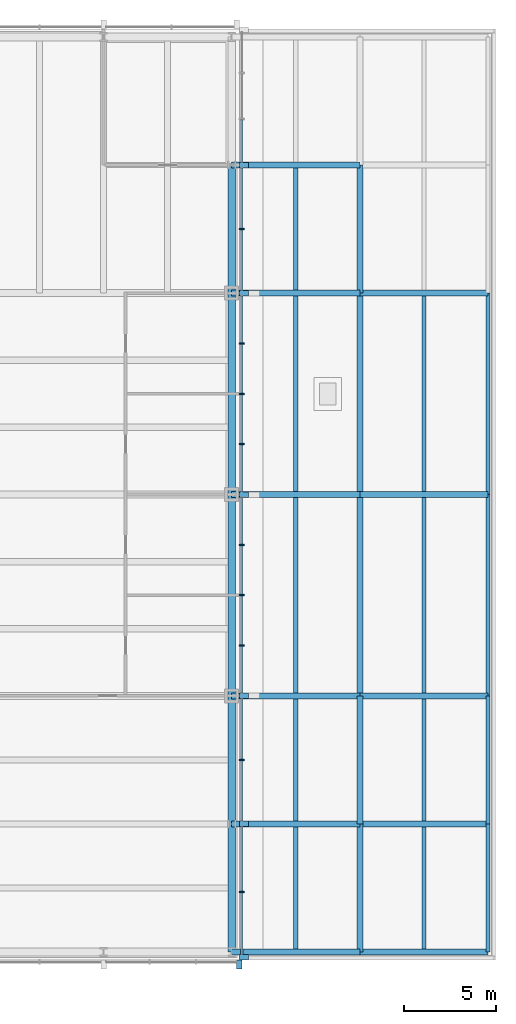
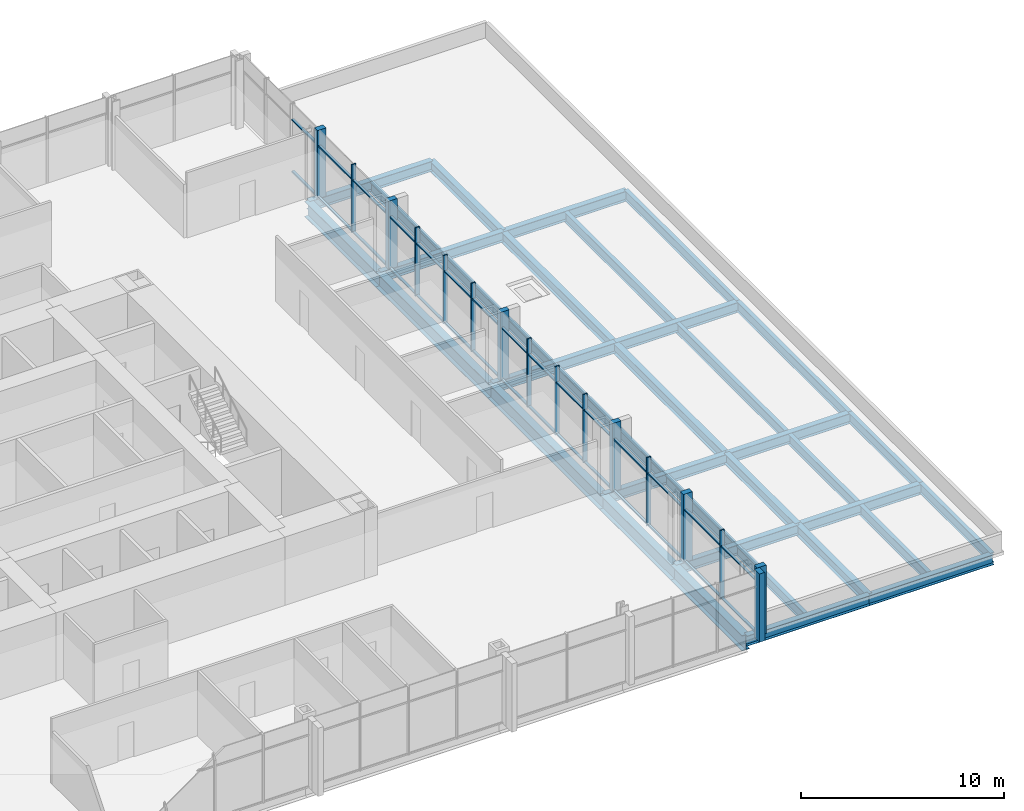
# One storey, part 7 of 15: 46 members, 34 beams, 2 elements without a shape of their own.
"""IFC4 building model written with IfcOpenShell, lengths in metres."""

import ifcopenshell
import ifcopenshell.guid

model = None  # the IFC model being written
_history = None  # IfcOwnerHistory: only IFC2X3 demands one
_inside = {}  # id of a spatial element -> (the spatial element, [elements in it])
_under = {}  # id of a project, library or spatial element -> (it, [spatial elements below it])
_declared = {}  # id of a project -> (the project, [libraries it declares])
_typed = {}  # id of a type object -> (the type object, [elements of that type])
_made_of = {}  # id of a material, layer set ... -> (it, [elements and type objects made of it])


def new_model(schema):
    """Start an empty IFC model of exactly this schema.

    Asked for "IFC4X3", IfcOpenShell would pick the latest addendum, in which some entities
    have other attributes; the version numbers below select the first issue.
    IFC2X3 requires an IfcOwnerHistory on every rooted entity: one is made here for all.
    """
    global model, _history
    if schema == "IFC4X3":
        model = ifcopenshell.file(schema_version=(4, 3, 0, 0))
    else:
        model = ifcopenshell.file(schema=schema)
    _inside.clear()
    _under.clear()
    _declared.clear()
    _typed.clear()
    _made_of.clear()
    _history = None
    if model.schema == "IFC2X3":
        org = make("IfcOrganization", Name="unknown")
        user = make(
            "IfcPersonAndOrganization",
            ThePerson=make("IfcPerson", FamilyName="unknown"),
            TheOrganization=org,
        )
        app = make(
            "IfcApplication",
            ApplicationDeveloper=org,
            Version="unknown",
            ApplicationFullName="unknown",
            ApplicationIdentifier="unknown",
        )
        _history = make(
            "IfcOwnerHistory",
            OwningUser=user,
            OwningApplication=app,
            ChangeAction="ADDED",
            CreationDate=0,
        )
    return model


def make(cls, **values):
    """One entity of the class cls with the attributes given. An attribute that is None is left unset."""
    return model.create_entity(
        cls, **{name: value for name, value in values.items() if value is not None}
    )


def rooted(cls, **values):
    """An entity with a GlobalId (a new one), such as an element, a storey or a relation."""
    return make(cls, GlobalId=ifcopenshell.guid.new(), OwnerHistory=_history, **values)


def si_unit(unit_type, name, prefix=None):
    """IfcSIUnit, for example si_unit("LENGTHUNIT", "METRE", prefix="MILLI")."""
    return make("IfcSIUnit", UnitType=unit_type, Prefix=prefix, Name=name)


def assignment(units):
    """IfcUnitAssignment: the units of a project."""
    return None if units is None else make("IfcUnitAssignment", Units=units)


def point(xyz):
    """IfcCartesianPoint."""
    return None if xyz is None else make("IfcCartesianPoint", Coordinates=xyz)


def direction(xyz):
    """IfcDirection."""
    return None if xyz is None else make("IfcDirection", DirectionRatios=xyz)


def frame(location, z_axis=None, x_axis=None):
    """IfcAxis2Placement3D, a coordinate frame: its origin and axes. An axis left out is left unset."""
    return make(
        "IfcAxis2Placement3D",
        Location=point(location),
        Axis=direction(z_axis),
        RefDirection=direction(x_axis),
    )


def frame_2d(location, x_axis=None):
    """IfcAxis2Placement2D, a coordinate frame in the plane: its origin and x axis."""
    return make(
        "IfcAxis2Placement2D", Location=point(location), RefDirection=direction(x_axis)
    )


def origin():
    """The frame at (0, 0, 0) with its axes left unset."""
    return frame((0.0, 0.0, 0.0))


def origin_2d():
    """The frame at (0, 0) in the plane with its x axis left unset."""
    return frame_2d((0.0, 0.0))


def place(relative_to, where):
    """IfcLocalPlacement: puts the frame where relative to a parent placement (None: the world)."""
    return make(
        "IfcLocalPlacement", PlacementRelTo=relative_to, RelativePlacement=where
    )


def context(
    kind, dimensions, precision=None, world=None, true_north=None, identifier=None
):
    """IfcGeometricRepresentationContext, for example the 3D "Model" context."""
    return make(
        "IfcGeometricRepresentationContext",
        ContextIdentifier=identifier,
        ContextType=kind,
        CoordinateSpaceDimension=dimensions,
        Precision=precision,
        WorldCoordinateSystem=world,
        TrueNorth=true_north,
    )


def subcontext(parent, identifier, kind, view, scale=None):
    """IfcGeometricRepresentationSubContext, for example "Body" below "Model"."""
    return make(
        "IfcGeometricRepresentationSubContext",
        ContextIdentifier=identifier,
        ContextType=kind,
        ParentContext=parent,
        TargetScale=scale,
        TargetView=view,
    )


def project(units=None, contexts=None):
    """IfcProject with its units and contexts."""
    return rooted(
        "IfcProject",
        Name="project",
        RepresentationContexts=contexts,
        UnitsInContext=assignment(units),
    )


def spatial(cls, under=None, at=None, **own):
    """A site, building, storey or space (cls), placed at a placement, below another one or the project."""
    s = rooted(cls, ObjectPlacement=at, **own)
    if under is not None:
        _under.setdefault(under.id(), (under, []))[1].append(s)
    return s


def profile(cls, at=None, kind="AREA", **sizes):
    """A parametric profile (cls). Its sizes go by their IFC names, for example OverallWidth=200.0."""
    return make(cls, ProfileType=kind, Position=at, **sizes)


def rectangle(**sizes):
    """IfcRectangleProfileDef."""
    return profile("IfcRectangleProfileDef", **sizes)


def i_section(**sizes):
    """IfcIShapeProfileDef."""
    return profile("IfcIShapeProfileDef", **sizes)


def extrude(swept, where, along, depth):
    """IfcExtrudedAreaSolid: the profile swept, set in the frame where, extruded along a direction by depth."""
    return make(
        "IfcExtrudedAreaSolid",
        SweptArea=swept,
        Position=where,
        ExtrudedDirection=direction(along),
        Depth=depth,
    )


def shape(context_of_items, identifier, shape_type, items):
    """IfcShapeRepresentation: the items that make up one representation, for example the "Body"."""
    return make(
        "IfcShapeRepresentation",
        ContextOfItems=context_of_items,
        RepresentationIdentifier=identifier,
        RepresentationType=shape_type,
        Items=items,
    )


def material(Name=None, Category=None):
    """IfcMaterial."""
    return make("IfcMaterial", Name=Name, Category=Category)


def material_profile(
    of_material, cross_section, Name=None, Category=None, Priority=None
):
    """IfcMaterialProfile: a cross section and its material."""
    return make(
        "IfcMaterialProfile",
        Name=Name,
        Material=of_material,
        Profile=cross_section,
        Priority=Priority,
        Category=Category,
    )


def profile_set(profiles, Name=None, composite=None):
    """IfcMaterialProfileSet."""
    return make(
        "IfcMaterialProfileSet",
        Name=Name,
        MaterialProfiles=profiles,
        CompositeProfile=composite,
    )


def made_of(thing, what):
    """Note that an element or type object is made of a material, layer set ...; save() writes the relation."""
    if what is not None:
        _made_of.setdefault(what.id(), (what, []))[1].append(thing)
    return thing


def type_object(cls, material=None, **own):
    """A type object (cls), such as IfcWallType, which elements share."""
    return made_of(rooted(cls, **own), material)


def element(
    cls,
    number,
    at=None,
    inside=None,
    cuts=None,
    type_object=None,
    material=None,
    context=None,
    identifier="Body",
    shape_type=None,
    held_by="IfcProductDefinitionShape",
    body=None,
    shapes=None,
    **own,
):
    """One element of the class cls, such as IfcWall. Its Tag is "e" and its number.

    at: its placement. inside: the storey or other place that contains it. cuts: it is an
    opening in that element (IfcRelVoidsElement). A single representation is given by context,
    identifier, shape_type and body (its items); several are given by shapes. held_by: the class
    of the entity that holds the representations. save() writes the other relations.
    """
    e = rooted(cls, Tag="e%d" % number, ObjectPlacement=at, **own)
    if body is not None:
        shapes = [shape(context, identifier, shape_type, body)]
    if shapes is not None:
        e.Representation = make(held_by, Representations=shapes)
    if inside is not None:
        _inside.setdefault(inside.id(), (inside, []))[1].append(e)
    if cuts is not None:
        rooted(
            "IfcRelVoidsElement", RelatingBuildingElement=cuts, RelatedOpeningElement=e
        )
    if type_object is not None:
        _typed.setdefault(type_object.id(), (type_object, []))[1].append(e)
    return made_of(e, material)


def aggregate(whole, parts):
    """IfcRelAggregates: a whole, such as a stair, and the parts it consists of."""
    return rooted("IfcRelAggregates", RelatingObject=whole, RelatedObjects=parts)


def save(model, path):
    """Write the relations noted so far, then the file.

    IfcRelAggregates (storeys below a building ...), IfcRelContainedInSpatialStructure (elements
    in a storey), IfcRelDefinesByType, IfcRelAssociatesMaterial and IfcRelDeclares: one each for
    every whole, place, type object, material and project.
    """
    for whole, parts in _under.values():
        aggregate(whole, parts)
    for where, things in _inside.values():
        rooted(
            "IfcRelContainedInSpatialStructure",
            RelatedElements=things,
            RelatingStructure=where,
        )
    for kind, things in _typed.values():
        rooted("IfcRelDefinesByType", RelatedObjects=things, RelatingType=kind)
    for what, things in _made_of.values():
        rooted("IfcRelAssociatesMaterial", RelatedObjects=things, RelatingMaterial=what)
    for by, libraries in _declared.values():
        rooted("IfcRelDeclares", RelatingContext=by, RelatedDefinitions=libraries)
    model.write(path)


model = new_model("IFC4")

# Units and contexts
model_context = context("Model", 3, precision=1e-05, world=origin(), true_north=direction((0.0, 1.0)))
body_context = subcontext(model_context, "Body", "Model", "MODEL_VIEW")
ifc_project = project(units=[si_unit("LENGTHUNIT", "METRE"), si_unit("AREAUNIT", "SQUARE_METRE"), si_unit("VOLUMEUNIT", "CUBIC_METRE"), si_unit("PLANEANGLEUNIT", "RADIAN"), si_unit("MASSUNIT", "GRAM", prefix="KILO")], contexts=[model_context])

# Site, building, storey
site_placement = place(None, origin())
site = spatial("IfcSite", under=ifc_project, at=site_placement, CompositionType="ELEMENT")
building_placement = place(site_placement, origin())
building = spatial("IfcBuilding", under=site, at=building_placement, Name="Trevanion Tower", CompositionType="ELEMENT")
storey_placement = place(building_placement, frame((0.0, 0.0, 16.0)))
storey = spatial("IfcBuildingStorey", under=building, at=storey_placement, Name="L03", CompositionType="ELEMENT", Elevation=16.0)

# Curtain wall, members
ifc_material_1 = material(Name="Aluminium and glass", Category="aluminium")
curtain_wall_type = type_object("IfcCurtainWallType", Name="CW1 curtain wall", PredefinedType="USERDEFINED", material=ifc_material_1)
curtain_wall_1_placement = place(storey_placement, origin())
curtain_wall_1 = element("IfcCurtainWall", 1, at=curtain_wall_1_placement, inside=storey, type_object=curtain_wall_type, Name="CW1 L03 0", ObjectType="UNITISED CURTAIN WALL", PredefinedType="USERDEFINED")
ifc_material_2 = material(Name="Aluminium extrusion, anodised bronze", Category="aluminium")
ifc_material_profile_1 = material_profile(ifc_material_2, rectangle(XDim=0.074951171875, YDim=0.25, at=origin_2d()), Name="CW1 mullion")
ifc_profile_set_1 = profile_set([ifc_material_profile_1], Name="Aluminium extrusion, anodised bronze")
member_type_1 = type_object("IfcMemberType", Name="CW1 mullion", PredefinedType="MULLION", material=ifc_profile_set_1)
member_1_placement = place(storey_placement, frame((25.550048828125, -21.7099609375, -0.18994140625), z_axis=(0.0, 0.0, 1.0), x_axis=(0.0, 1.0, 0.0)))
member_1 = element("IfcMember", 2, at=member_1_placement, type_object=member_type_1, Name="CW1 mullion 2", PredefinedType="MULLION", context=body_context, shape_type="SweptSolid", body=[
    extrude(rectangle(XDim=0.074951171875, YDim=0.25, at=origin_2d()), origin(), (0.0, 0.0, 1.0), 4.099853515625),
])
member_2_placement = place(storey_placement, frame((25.550048828125, -14.5, -0.18994140625), z_axis=(0.0, 0.0, 1.0), x_axis=(0.0, 1.0, 0.0)))
member_2 = element("IfcMember", 3, at=member_2_placement, type_object=member_type_1, Name="CW1 mullion 4", PredefinedType="MULLION", context=body_context, shape_type="SweptSolid", body=[
    extrude(rectangle(XDim=0.074951171875, YDim=0.25, at=origin_2d()), origin(), (0.0, 0.0, 1.0), 4.099853515625),
])
member_3_placement = place(storey_placement, frame((25.550048828125, -8.25, -0.18994140625), z_axis=(0.0, 0.0, 1.0), x_axis=(0.0, 1.0, 0.0)))
member_3 = element("IfcMember", 4, at=member_3_placement, type_object=member_type_1, Name="CW1 mullion 6", PredefinedType="MULLION", context=body_context, shape_type="SweptSolid", body=[
    extrude(rectangle(XDim=0.074951171875, YDim=0.25, at=origin_2d()), origin(), (0.0, 0.0, 1.0), 4.099853515625),
])
member_4_placement = place(storey_placement, frame((25.550048828125, -5.5, -0.18994140625), z_axis=(0.0, 0.0, 1.0), x_axis=(0.0, 1.0, 0.0)))
member_4 = element("IfcMember", 5, at=member_4_placement, type_object=member_type_1, Name="CW1 mullion 7", PredefinedType="MULLION", context=body_context, shape_type="SweptSolid", body=[
    extrude(rectangle(XDim=0.074951171875, YDim=0.25, at=origin_2d()), origin(), (0.0, 0.0, 1.0), 4.099853515625),
])
member_5_placement = place(storey_placement, frame((25.550048828125, -2.75, -0.18994140625), z_axis=(0.0, 0.0, 1.0), x_axis=(0.0, 1.0, 0.0)))
member_5 = element("IfcMember", 6, at=member_5_placement, type_object=member_type_1, Name="CW1 mullion 8", PredefinedType="MULLION", context=body_context, shape_type="SweptSolid", body=[
    extrude(rectangle(XDim=0.074951171875, YDim=0.25, at=origin_2d()), origin(), (0.0, 0.0, 1.0), 4.099853515625),
])
member_6_placement = place(storey_placement, frame((25.550048828125, 2.75, -0.18994140625), z_axis=(0.0, 0.0, 1.0), x_axis=(0.0, 1.0, 0.0)))
member_6 = element("IfcMember", 7, at=member_6_placement, type_object=member_type_1, Name="CW1 mullion 10", PredefinedType="MULLION", context=body_context, shape_type="SweptSolid", body=[
    extrude(rectangle(XDim=0.074951171875, YDim=0.25, at=origin_2d()), origin(), (0.0, 0.0, 1.0), 4.099853515625),
])
member_7_placement = place(storey_placement, frame((25.550048828125, 5.5, -0.18994140625), z_axis=(0.0, 0.0, 1.0), x_axis=(0.0, 1.0, 0.0)))
member_7 = element("IfcMember", 8, at=member_7_placement, type_object=member_type_1, Name="CW1 mullion 11", PredefinedType="MULLION", context=body_context, shape_type="SweptSolid", body=[
    extrude(rectangle(XDim=0.074951171875, YDim=0.25, at=origin_2d()), origin(), (0.0, 0.0, 1.0), 4.099853515625),
])
member_8_placement = place(storey_placement, frame((25.550048828125, 8.25, -0.18994140625), z_axis=(0.0, 0.0, 1.0), x_axis=(0.0, 1.0, 0.0)))
member_8 = element("IfcMember", 9, at=member_8_placement, type_object=member_type_1, Name="CW1 mullion 12", PredefinedType="MULLION", context=body_context, shape_type="SweptSolid", body=[
    extrude(rectangle(XDim=0.074951171875, YDim=0.25, at=origin_2d()), origin(), (0.0, 0.0, 1.0), 4.099853515625),
])
member_9_placement = place(storey_placement, frame((25.550048828125, 14.5, -0.18994140625), z_axis=(0.0, 0.0, 1.0), x_axis=(0.0, 1.0, 0.0)))
member_9 = element("IfcMember", 10, at=member_9_placement, type_object=member_type_1, Name="CW1 mullion 14", PredefinedType="MULLION", context=body_context, shape_type="SweptSolid", body=[
    extrude(rectangle(XDim=0.074951171875, YDim=0.25, at=origin_2d()), origin(), (0.0, 0.0, 1.0), 4.099853515625),
])
ifc_material_3 = material(Name="Aluminium extrusion, anodised bronze", Category="aluminium")
ifc_material_profile_2 = material_profile(ifc_material_3, rectangle(XDim=0.300048828125, YDim=0.5, at=origin_2d()), Name="CW1 pier mullion")
ifc_profile_set_2 = profile_set([ifc_material_profile_2], Name="Aluminium extrusion, anodised bronze")
member_type_2 = type_object("IfcMemberType", Name="CW1 pier mullion", PredefinedType="MULLION", material=ifc_profile_set_2)
member_10_placement = place(storey_placement, frame((25.675048828125, -25.27001953125, -0.18994140625), z_axis=(0.0, 0.0, 1.0), x_axis=(0.0, 1.0, 0.0)))
member_10 = element("IfcMember", 11, at=member_10_placement, type_object=member_type_2, Name="CW1 pier mullion 1", PredefinedType="MULLION", context=body_context, shape_type="SweptSolid", body=[
    extrude(rectangle(XDim=0.300048828125, YDim=0.5, at=origin_2d()), origin(), (0.0, 0.0, 1.0), 4.099853515625),
])
member_11_placement = place(storey_placement, frame((25.675048828125, -18.0, -0.18994140625), z_axis=(0.0, 0.0, 1.0), x_axis=(0.0, 1.0, 0.0)))
member_11 = element("IfcMember", 12, at=member_11_placement, type_object=member_type_2, Name="CW1 pier mullion 3", PredefinedType="MULLION", context=body_context, shape_type="SweptSolid", body=[
    extrude(rectangle(XDim=0.300048828125, YDim=0.5, at=origin_2d()), origin(), (0.0, 0.0, 1.0), 4.099853515625),
])
member_12_placement = place(storey_placement, frame((25.675048828125, -11.0, -0.18994140625), z_axis=(0.0, 0.0, 1.0), x_axis=(0.0, 1.0, 0.0)))
member_12 = element("IfcMember", 13, at=member_12_placement, type_object=member_type_2, Name="CW1 pier mullion 5", PredefinedType="MULLION", context=body_context, shape_type="SweptSolid", body=[
    extrude(rectangle(XDim=0.300048828125, YDim=0.5, at=origin_2d()), origin(), (0.0, 0.0, 1.0), 4.099853515625),
])
member_13_placement = place(storey_placement, frame((25.675048828125, 0.0, -0.18994140625), z_axis=(0.0, 0.0, 1.0), x_axis=(0.0, 1.0, 0.0)))
member_13 = element("IfcMember", 14, at=member_13_placement, type_object=member_type_2, Name="CW1 pier mullion 9", PredefinedType="MULLION", context=body_context, shape_type="SweptSolid", body=[
    extrude(rectangle(XDim=0.300048828125, YDim=0.5, at=origin_2d()), origin(), (0.0, 0.0, 1.0), 4.099853515625),
])
member_14_placement = place(storey_placement, frame((25.675048828125, 11.0, -0.18994140625), z_axis=(0.0, 0.0, 1.0), x_axis=(0.0, 1.0, 0.0)))
member_14 = element("IfcMember", 15, at=member_14_placement, type_object=member_type_2, Name="CW1 pier mullion 13", PredefinedType="MULLION", context=body_context, shape_type="SweptSolid", body=[
    extrude(rectangle(XDim=0.300048828125, YDim=0.5, at=origin_2d()), origin(), (0.0, 0.0, 1.0), 4.099853515625),
])
member_15_placement = place(storey_placement, frame((25.675048828125, 18.0, -0.18994140625), z_axis=(0.0, 0.0, 1.0), x_axis=(0.0, 1.0, 0.0)))
member_15 = element("IfcMember", 16, at=member_15_placement, type_object=member_type_2, Name="CW1 pier mullion 15", PredefinedType="MULLION", context=body_context, shape_type="SweptSolid", body=[
    extrude(rectangle(XDim=0.300048828125, YDim=0.5, at=origin_2d()), origin(), (0.0, 0.0, 1.0), 4.099853515625),
])

# Curtain wall, member
curtain_wall_2_placement = place(storey_placement, origin())
curtain_wall_2 = element("IfcCurtainWall", 17, at=curtain_wall_2_placement, inside=storey, type_object=curtain_wall_type, Name="CW1 L03 3", ObjectType="UNITISED CURTAIN WALL", PredefinedType="USERDEFINED")
member_16_placement = place(storey_placement, frame((25.39990234375, -25.675048828125, -0.18994140625), z_axis=(0.0, 0.0, 1.0), x_axis=(1.0, 0.0, 0.0)))
member_16 = element("IfcMember", 18, at=member_16_placement, type_object=member_type_2, Name="CW1 pier mullion 18", PredefinedType="MULLION", context=body_context, shape_type="SweptSolid", body=[
    extrude(rectangle(XDim=0.300048828125, YDim=0.5, at=origin_2d()), origin(), (0.0, 0.0, 1.0), 4.099853515625),
])
aggregate(curtain_wall_2, [member_16])

# Member
ifc_material_4 = material(Name="Aluminium extrusion, anodised bronze", Category="aluminium")
ifc_material_profile_3 = material_profile(ifc_material_4, rectangle(XDim=0.14990234375, YDim=0.074951171875, at=origin_2d()), Name="CW1 transom")
ifc_profile_set_3 = profile_set([ifc_material_profile_3], Name="Aluminium extrusion, anodised bronze")
member_type_3 = type_object("IfcMemberType", Name="CW1 transom", PredefinedType="USERDEFINED", material=ifc_profile_set_3)
member_17_placement = place(storey_placement, frame((25.550048828125, -25.1201171875, -0.152587890625), z_axis=(0.0, 1.0, 0.0), x_axis=(-1.0, 0.0, 0.0)))
member_17 = element("IfcMember", 19, at=member_17_placement, type_object=member_type_3, Name="CW1 transom 1.1", ObjectType="TRANSOM", PredefinedType="USERDEFINED", context=body_context, shape_type="SweptSolid", body=[
    extrude(rectangle(XDim=0.14990234375, YDim=0.074951171875, at=origin_2d()), origin(), (0.0, 0.0, 1.0), 3.37255859375),
])

member_18_placement = place(storey_placement, frame((25.550048828125, -25.1201171875, 2.9599609375), z_axis=(0.0, 1.0, 0.0), x_axis=(-1.0, 0.0, 0.0)))
member_18 = element("IfcMember", 20, at=member_18_placement, type_object=member_type_3, Name="CW1 transom 1.2", ObjectType="TRANSOM", PredefinedType="USERDEFINED", context=body_context, shape_type="SweptSolid", body=[
    extrude(rectangle(XDim=0.14990234375, YDim=0.074951171875, at=origin_2d()), origin(), (0.0, 0.0, 1.0), 3.37255859375),
])

member_19_placement = place(storey_placement, frame((25.550048828125, -21.672607421875, -0.152587890625), z_axis=(0.0, 1.0, 0.0), x_axis=(-1.0, 0.0, 0.0)))
member_19 = element("IfcMember", 21, at=member_19_placement, type_object=member_type_3, Name="CW1 transom 2.1", ObjectType="TRANSOM", PredefinedType="USERDEFINED", context=body_context, shape_type="SweptSolid", body=[
    extrude(rectangle(XDim=0.14990234375, YDim=0.074951171875, at=origin_2d()), origin(), (0.0, 0.0, 1.0), 3.522705078125),
])

member_20_placement = place(storey_placement, frame((25.550048828125, -21.672607421875, 2.9599609375), z_axis=(0.0, 1.0, 0.0), x_axis=(-1.0, 0.0, 0.0)))
member_20 = element("IfcMember", 22, at=member_20_placement, type_object=member_type_3, Name="CW1 transom 2.2", ObjectType="TRANSOM", PredefinedType="USERDEFINED", context=body_context, shape_type="SweptSolid", body=[
    extrude(rectangle(XDim=0.14990234375, YDim=0.074951171875, at=origin_2d()), origin(), (0.0, 0.0, 1.0), 3.522705078125),
])

member_21_placement = place(storey_placement, frame((25.550048828125, -17.85009765625, -0.152587890625), z_axis=(0.0, 1.0, 0.0), x_axis=(-1.0, 0.0, 0.0)))
member_21 = element("IfcMember", 23, at=member_21_placement, type_object=member_type_3, Name="CW1 transom 3.1", ObjectType="TRANSOM", PredefinedType="USERDEFINED", context=body_context, shape_type="SweptSolid", body=[
    extrude(rectangle(XDim=0.14990234375, YDim=0.074951171875, at=origin_2d()), origin(), (0.0, 0.0, 1.0), 3.3125),
])

member_22_placement = place(storey_placement, frame((25.550048828125, -17.85009765625, 2.9599609375), z_axis=(0.0, 1.0, 0.0), x_axis=(-1.0, 0.0, 0.0)))
member_22 = element("IfcMember", 24, at=member_22_placement, type_object=member_type_3, Name="CW1 transom 3.2", ObjectType="TRANSOM", PredefinedType="USERDEFINED", context=body_context, shape_type="SweptSolid", body=[
    extrude(rectangle(XDim=0.14990234375, YDim=0.074951171875, at=origin_2d()), origin(), (0.0, 0.0, 1.0), 3.3125),
])

member_23_placement = place(storey_placement, frame((25.550048828125, -14.46240234375, -0.152587890625), z_axis=(0.0, 1.0, 0.0), x_axis=(-1.0, 0.0, 0.0)))
member_23 = element("IfcMember", 25, at=member_23_placement, type_object=member_type_3, Name="CW1 transom 4.1", ObjectType="TRANSOM", PredefinedType="USERDEFINED", context=body_context, shape_type="SweptSolid", body=[
    extrude(rectangle(XDim=0.14990234375, YDim=0.074951171875, at=origin_2d()), origin(), (0.0, 0.0, 1.0), 3.3125),
])

member_24_placement = place(storey_placement, frame((25.550048828125, -14.46240234375, 2.9599609375), z_axis=(0.0, 1.0, 0.0), x_axis=(-1.0, 0.0, 0.0)))
member_24 = element("IfcMember", 26, at=member_24_placement, type_object=member_type_3, Name="CW1 transom 4.2", ObjectType="TRANSOM", PredefinedType="USERDEFINED", context=body_context, shape_type="SweptSolid", body=[
    extrude(rectangle(XDim=0.14990234375, YDim=0.074951171875, at=origin_2d()), origin(), (0.0, 0.0, 1.0), 3.3125),
])

member_25_placement = place(storey_placement, frame((25.550048828125, -10.85009765625, -0.152587890625), z_axis=(0.0, 1.0, 0.0), x_axis=(-1.0, 0.0, 0.0)))
member_25 = element("IfcMember", 27, at=member_25_placement, type_object=member_type_3, Name="CW1 transom 5.1", ObjectType="TRANSOM", PredefinedType="USERDEFINED", context=body_context, shape_type="SweptSolid", body=[
    extrude(rectangle(XDim=0.14990234375, YDim=0.074951171875, at=origin_2d()), origin(), (0.0, 0.0, 1.0), 2.5625),
])

member_26_placement = place(storey_placement, frame((25.550048828125, -10.85009765625, 2.9599609375), z_axis=(0.0, 1.0, 0.0), x_axis=(-1.0, 0.0, 0.0)))
member_26 = element("IfcMember", 28, at=member_26_placement, type_object=member_type_3, Name="CW1 transom 5.2", ObjectType="TRANSOM", PredefinedType="USERDEFINED", context=body_context, shape_type="SweptSolid", body=[
    extrude(rectangle(XDim=0.14990234375, YDim=0.074951171875, at=origin_2d()), origin(), (0.0, 0.0, 1.0), 2.5625),
])

member_27_placement = place(storey_placement, frame((25.550048828125, -8.21240234375, -0.152587890625), z_axis=(0.0, 1.0, 0.0), x_axis=(-1.0, 0.0, 0.0)))
member_27 = element("IfcMember", 29, at=member_27_placement, type_object=member_type_3, Name="CW1 transom 6.1", ObjectType="TRANSOM", PredefinedType="USERDEFINED", context=body_context, shape_type="SweptSolid", body=[
    extrude(rectangle(XDim=0.14990234375, YDim=0.074951171875, at=origin_2d()), origin(), (0.0, 0.0, 1.0), 2.6748046875),
])

member_28_placement = place(storey_placement, frame((25.550048828125, -8.21240234375, 2.9599609375), z_axis=(0.0, 1.0, 0.0), x_axis=(-1.0, 0.0, 0.0)))
member_28 = element("IfcMember", 30, at=member_28_placement, type_object=member_type_3, Name="CW1 transom 6.2", ObjectType="TRANSOM", PredefinedType="USERDEFINED", context=body_context, shape_type="SweptSolid", body=[
    extrude(rectangle(XDim=0.14990234375, YDim=0.074951171875, at=origin_2d()), origin(), (0.0, 0.0, 1.0), 2.6748046875),
])

member_29_placement = place(storey_placement, frame((25.550048828125, -5.46240234375, -0.152587890625), z_axis=(0.0, 1.0, 0.0), x_axis=(-1.0, 0.0, 0.0)))
member_29 = element("IfcMember", 31, at=member_29_placement, type_object=member_type_3, Name="CW1 transom 7.1", ObjectType="TRANSOM", PredefinedType="USERDEFINED", context=body_context, shape_type="SweptSolid", body=[
    extrude(rectangle(XDim=0.14990234375, YDim=0.074951171875, at=origin_2d()), origin(), (0.0, 0.0, 1.0), 2.6748046875),
])

member_30_placement = place(storey_placement, frame((25.550048828125, -5.46240234375, 2.9599609375), z_axis=(0.0, 1.0, 0.0), x_axis=(-1.0, 0.0, 0.0)))
member_30 = element("IfcMember", 32, at=member_30_placement, type_object=member_type_3, Name="CW1 transom 7.2", ObjectType="TRANSOM", PredefinedType="USERDEFINED", context=body_context, shape_type="SweptSolid", body=[
    extrude(rectangle(XDim=0.14990234375, YDim=0.074951171875, at=origin_2d()), origin(), (0.0, 0.0, 1.0), 2.6748046875),
])

member_31_placement = place(storey_placement, frame((25.550048828125, -2.71240234375, -0.152587890625), z_axis=(0.0, 1.0, 0.0), x_axis=(-1.0, 0.0, 0.0)))
member_31 = element("IfcMember", 33, at=member_31_placement, type_object=member_type_3, Name="CW1 transom 8.1", ObjectType="TRANSOM", PredefinedType="USERDEFINED", context=body_context, shape_type="SweptSolid", body=[
    extrude(rectangle(XDim=0.14990234375, YDim=0.074951171875, at=origin_2d()), origin(), (0.0, 0.0, 1.0), 2.5625),
])

member_32_placement = place(storey_placement, frame((25.550048828125, -2.71240234375, 2.9599609375), z_axis=(0.0, 1.0, 0.0), x_axis=(-1.0, 0.0, 0.0)))
member_32 = element("IfcMember", 34, at=member_32_placement, type_object=member_type_3, Name="CW1 transom 8.2", ObjectType="TRANSOM", PredefinedType="USERDEFINED", context=body_context, shape_type="SweptSolid", body=[
    extrude(rectangle(XDim=0.14990234375, YDim=0.074951171875, at=origin_2d()), origin(), (0.0, 0.0, 1.0), 2.5625),
])

member_33_placement = place(storey_placement, frame((25.550048828125, 0.14990234375, -0.152587890625), z_axis=(0.0, 1.0, 0.0), x_axis=(-1.0, 0.0, 0.0)))
member_33 = element("IfcMember", 35, at=member_33_placement, type_object=member_type_3, Name="CW1 transom 9.1", ObjectType="TRANSOM", PredefinedType="USERDEFINED", context=body_context, shape_type="SweptSolid", body=[
    extrude(rectangle(XDim=0.14990234375, YDim=0.074951171875, at=origin_2d()), origin(), (0.0, 0.0, 1.0), 2.5625),
])

member_34_placement = place(storey_placement, frame((25.550048828125, 0.14990234375, 2.9599609375), z_axis=(0.0, 1.0, 0.0), x_axis=(-1.0, 0.0, 0.0)))
member_34 = element("IfcMember", 36, at=member_34_placement, type_object=member_type_3, Name="CW1 transom 9.2", ObjectType="TRANSOM", PredefinedType="USERDEFINED", context=body_context, shape_type="SweptSolid", body=[
    extrude(rectangle(XDim=0.14990234375, YDim=0.074951171875, at=origin_2d()), origin(), (0.0, 0.0, 1.0), 2.5625),
])

member_35_placement = place(storey_placement, frame((25.550048828125, 2.78759765625, -0.152587890625), z_axis=(0.0, 1.0, 0.0), x_axis=(-1.0, 0.0, 0.0)))
member_35 = element("IfcMember", 37, at=member_35_placement, type_object=member_type_3, Name="CW1 transom 10.1", ObjectType="TRANSOM", PredefinedType="USERDEFINED", context=body_context, shape_type="SweptSolid", body=[
    extrude(rectangle(XDim=0.14990234375, YDim=0.074951171875, at=origin_2d()), origin(), (0.0, 0.0, 1.0), 2.6748046875),
])

member_36_placement = place(storey_placement, frame((25.550048828125, 2.78759765625, 2.9599609375), z_axis=(0.0, 1.0, 0.0), x_axis=(-1.0, 0.0, 0.0)))
member_36 = element("IfcMember", 38, at=member_36_placement, type_object=member_type_3, Name="CW1 transom 10.2", ObjectType="TRANSOM", PredefinedType="USERDEFINED", context=body_context, shape_type="SweptSolid", body=[
    extrude(rectangle(XDim=0.14990234375, YDim=0.074951171875, at=origin_2d()), origin(), (0.0, 0.0, 1.0), 2.6748046875),
])

member_37_placement = place(storey_placement, frame((25.550048828125, 5.53759765625, -0.152587890625), z_axis=(0.0, 1.0, 0.0), x_axis=(-1.0, 0.0, 0.0)))
member_37 = element("IfcMember", 39, at=member_37_placement, type_object=member_type_3, Name="CW1 transom 11.1", ObjectType="TRANSOM", PredefinedType="USERDEFINED", context=body_context, shape_type="SweptSolid", body=[
    extrude(rectangle(XDim=0.14990234375, YDim=0.074951171875, at=origin_2d()), origin(), (0.0, 0.0, 1.0), 2.6748046875),
])

member_38_placement = place(storey_placement, frame((25.550048828125, 5.53759765625, 2.9599609375), z_axis=(0.0, 1.0, 0.0), x_axis=(-1.0, 0.0, 0.0)))
member_38 = element("IfcMember", 40, at=member_38_placement, type_object=member_type_3, Name="CW1 transom 11.2", ObjectType="TRANSOM", PredefinedType="USERDEFINED", context=body_context, shape_type="SweptSolid", body=[
    extrude(rectangle(XDim=0.14990234375, YDim=0.074951171875, at=origin_2d()), origin(), (0.0, 0.0, 1.0), 2.6748046875),
])

member_39_placement = place(storey_placement, frame((25.550048828125, 8.28759765625, -0.152587890625), z_axis=(0.0, 1.0, 0.0), x_axis=(-1.0, 0.0, 0.0)))
member_39 = element("IfcMember", 41, at=member_39_placement, type_object=member_type_3, Name="CW1 transom 12.1", ObjectType="TRANSOM", PredefinedType="USERDEFINED", context=body_context, shape_type="SweptSolid", body=[
    extrude(rectangle(XDim=0.14990234375, YDim=0.074951171875, at=origin_2d()), origin(), (0.0, 0.0, 1.0), 2.5625),
])

member_40_placement = place(storey_placement, frame((25.550048828125, 8.28759765625, 2.9599609375), z_axis=(0.0, 1.0, 0.0), x_axis=(-1.0, 0.0, 0.0)))
member_40 = element("IfcMember", 42, at=member_40_placement, type_object=member_type_3, Name="CW1 transom 12.2", ObjectType="TRANSOM", PredefinedType="USERDEFINED", context=body_context, shape_type="SweptSolid", body=[
    extrude(rectangle(XDim=0.14990234375, YDim=0.074951171875, at=origin_2d()), origin(), (0.0, 0.0, 1.0), 2.5625),
])

member_41_placement = place(storey_placement, frame((25.550048828125, 11.14990234375, -0.152587890625), z_axis=(0.0, 1.0, 0.0), x_axis=(-1.0, 0.0, 0.0)))
member_41 = element("IfcMember", 43, at=member_41_placement, type_object=member_type_3, Name="CW1 transom 13.1", ObjectType="TRANSOM", PredefinedType="USERDEFINED", context=body_context, shape_type="SweptSolid", body=[
    extrude(rectangle(XDim=0.14990234375, YDim=0.074951171875, at=origin_2d()), origin(), (0.0, 0.0, 1.0), 3.3125),
])

member_42_placement = place(storey_placement, frame((25.550048828125, 11.14990234375, 2.9599609375), z_axis=(0.0, 1.0, 0.0), x_axis=(-1.0, 0.0, 0.0)))
member_42 = element("IfcMember", 44, at=member_42_placement, type_object=member_type_3, Name="CW1 transom 13.2", ObjectType="TRANSOM", PredefinedType="USERDEFINED", context=body_context, shape_type="SweptSolid", body=[
    extrude(rectangle(XDim=0.14990234375, YDim=0.074951171875, at=origin_2d()), origin(), (0.0, 0.0, 1.0), 3.3125),
])

member_43_placement = place(storey_placement, frame((25.550048828125, 14.53759765625, -0.152587890625), z_axis=(0.0, 1.0, 0.0), x_axis=(-1.0, 0.0, 0.0)))
member_43 = element("IfcMember", 45, at=member_43_placement, type_object=member_type_3, Name="CW1 transom 14.1", ObjectType="TRANSOM", PredefinedType="USERDEFINED", context=body_context, shape_type="SweptSolid", body=[
    extrude(rectangle(XDim=0.14990234375, YDim=0.074951171875, at=origin_2d()), origin(), (0.0, 0.0, 1.0), 3.3125),
])

member_44_placement = place(storey_placement, frame((25.550048828125, 14.53759765625, 2.9599609375), z_axis=(0.0, 1.0, 0.0), x_axis=(-1.0, 0.0, 0.0)))
member_44 = element("IfcMember", 46, at=member_44_placement, type_object=member_type_3, Name="CW1 transom 14.2", ObjectType="TRANSOM", PredefinedType="USERDEFINED", context=body_context, shape_type="SweptSolid", body=[
    extrude(rectangle(XDim=0.14990234375, YDim=0.074951171875, at=origin_2d()), origin(), (0.0, 0.0, 1.0), 3.3125),
])

member_45_placement = place(storey_placement, frame((25.550048828125, 18.14990234375, -0.152587890625), z_axis=(0.0, 1.0, 0.0), x_axis=(-1.0, 0.0, 0.0)))
member_45 = element("IfcMember", 47, at=member_45_placement, type_object=member_type_3, Name="CW1 transom 15.1", ObjectType="TRANSOM", PredefinedType="USERDEFINED", context=body_context, shape_type="SweptSolid", body=[
    extrude(rectangle(XDim=0.14990234375, YDim=0.074951171875, at=origin_2d()), origin(), (0.0, 0.0, 1.0), 2.329345703125),
])

member_46_placement = place(storey_placement, frame((25.550048828125, 18.14990234375, 2.9599609375), z_axis=(0.0, 1.0, 0.0), x_axis=(-1.0, 0.0, 0.0)))
member_46 = element("IfcMember", 48, at=member_46_placement, type_object=member_type_3, Name="CW1 transom 15.2", ObjectType="TRANSOM", PredefinedType="USERDEFINED", context=body_context, shape_type="SweptSolid", body=[
    extrude(rectangle(XDim=0.14990234375, YDim=0.074951171875, at=origin_2d()), origin(), (0.0, 0.0, 1.0), 2.329345703125),
])

aggregate(curtain_wall_1, [member_10, member_1, member_11, member_2, member_12, member_3, member_4, member_5, member_13, member_6, member_7, member_8, member_14, member_9, member_15, member_17, member_18, member_19, member_20, member_21, member_22, member_23, member_24, member_25, member_26, member_27, member_28, member_29, member_30, member_31, member_32, member_33, member_34, member_35, member_36, member_37, member_38, member_39, member_40, member_41, member_42, member_43, member_44, member_45, member_46])

# Beams
ifc_material_5 = material(Name="Steel ASTM A992 Grade 50", Category="steel")
ifc_material_profile_4 = material_profile(ifc_material_5, i_section(OverallWidth=0.419189453125, OverallDepth=0.927001953125, WebThickness=0.019287109375, FlangeThickness=0.031982421875, at=origin_2d()), Name="W36X231")
ifc_profile_set_4 = profile_set([ifc_material_profile_4], Name="Steel ASTM A992 Grade 50")
beam_type_1 = type_object("IfcBeamType", Name="SB1 W36X231", PredefinedType="SPANDREL", material=ifc_profile_set_4)
for number, where, z_axis, x_axis, name in (
    (49, (25.0, -25.0, -0.653564453125), (0.0, 1.0, 0.0), (-1.0, 0.0, 0.0), "SB1 L03"),
    (50, (25.0, -18.0, -0.653564453125), (0.0, 1.0, 0.0), (-1.0, 0.0, 0.0), "SB1 L03"),
):
    element("IfcBeam", number, at=place(storey_placement, frame(where, z_axis=z_axis, x_axis=x_axis)), inside=storey, type_object=beam_type_1, Name=name, PredefinedType="SPANDREL", context=body_context, shape_type="SweptSolid", body=[
        extrude(i_section(OverallWidth=0.419189453125, OverallDepth=0.927001953125, WebThickness=0.019287109375, FlangeThickness=0.031982421875, at=origin_2d()), origin(), (0.0, 0.0, 1.0), 7.0),
    ])
for number, where, z_axis, x_axis, name in (
    (51, (25.0, -11.0, -0.653564453125), (0.0, 1.0, 0.0), (-1.0, 0.0, 0.0), "SB1 L03"),
    (52, (25.0, 0.0, -0.653564453125), (0.0, 1.0, 0.0), (-1.0, 0.0, 0.0), "SB1 L03"),
):
    element("IfcBeam", number, at=place(storey_placement, frame(where, z_axis=z_axis, x_axis=x_axis)), inside=storey, type_object=beam_type_1, Name=name, PredefinedType="SPANDREL", context=body_context, shape_type="SweptSolid", body=[
        extrude(i_section(OverallWidth=0.419189453125, OverallDepth=0.927001953125, WebThickness=0.019287109375, FlangeThickness=0.031982421875, at=origin_2d()), origin(), (0.0, 0.0, 1.0), 11.0),
    ])
beam_1_placement = place(storey_placement, frame((25.0, 11.0, -0.653564453125), z_axis=(0.0, 1.0, 0.0), x_axis=(-1.0, 0.0, 0.0)))
element("IfcBeam", 53, at=beam_1_placement, inside=storey, type_object=beam_type_1, Name="SB1 L03", PredefinedType="SPANDREL", context=body_context, shape_type="SweptSolid", body=[
    extrude(i_section(OverallWidth=0.419189453125, OverallDepth=0.927001953125, WebThickness=0.019287109375, FlangeThickness=0.031982421875, at=origin_2d()), origin(), (0.0, 0.0, 1.0), 7.0),
])
ifc_material_6 = material(Name="Steel ASTM A992 Grade 50", Category="steel")
ifc_material_profile_5 = material_profile(ifc_material_6, i_section(OverallWidth=0.228271484375, OverallDepth=0.607177734375, WebThickness=0.01123046875, FlangeThickness=0.017333984375, at=origin_2d()), Name="W24X76")
ifc_profile_set_5 = profile_set([ifc_material_profile_5], Name="Steel ASTM A992 Grade 50")
beam_type_2 = type_object("IfcBeamType", Name="WB1 W24X76", PredefinedType="BEAM", material=ifc_profile_set_5)
for number, where, z_axis, x_axis, name in (
    (54, (28.5, -24.83740234375, -0.493408203125), (0.0, 1.0, 0.0), (-1.0, 0.0, 0.0), "WB1 L03"),
    (55, (28.5, -17.83740234375, -0.493408203125), (0.0, 1.0, 0.0), (-1.0, 0.0, 0.0), "WB1 L03"),
):
    element("IfcBeam", number, at=place(storey_placement, frame(where, z_axis=z_axis, x_axis=x_axis)), inside=storey, type_object=beam_type_2, Name=name, PredefinedType="BEAM", context=body_context, shape_type="SweptSolid", body=[
        extrude(i_section(OverallWidth=0.228271484375, OverallDepth=0.607177734375, WebThickness=0.01123046875, FlangeThickness=0.017333984375, at=origin_2d()), origin(), (0.0, 0.0, 1.0), 6.6748046875),
    ])
for number, where, z_axis, x_axis, name in (
    (56, (28.5, -10.83740234375, -0.493408203125), (0.0, 1.0, 0.0), (-1.0, 0.0, 0.0), "WB1 L03"),
    (57, (28.5, 0.16259765625, -0.493408203125), (0.0, 1.0, 0.0), (-1.0, 0.0, 0.0), "WB1 L03"),
):
    element("IfcBeam", number, at=place(storey_placement, frame(where, z_axis=z_axis, x_axis=x_axis)), inside=storey, type_object=beam_type_2, Name=name, PredefinedType="BEAM", context=body_context, shape_type="SweptSolid", body=[
        extrude(i_section(OverallWidth=0.228271484375, OverallDepth=0.607177734375, WebThickness=0.01123046875, FlangeThickness=0.017333984375, at=origin_2d()), origin(), (0.0, 0.0, 1.0), 10.6748046875),
    ])
for number, where, z_axis, x_axis, name in (
    (58, (28.5, 11.16259765625, -0.493408203125), (0.0, 1.0, 0.0), (-1.0, 0.0, 0.0), "WB1 L03"),
    (59, (35.5, -24.83740234375, -0.493408203125), (0.0, 1.0, 0.0), (-1.0, 0.0, 0.0), "WB1 L03"),
    (60, (35.5, -17.83740234375, -0.493408203125), (0.0, 1.0, 0.0), (-1.0, 0.0, 0.0), "WB1 L03"),
):
    element("IfcBeam", number, at=place(storey_placement, frame(where, z_axis=z_axis, x_axis=x_axis)), inside=storey, type_object=beam_type_2, Name=name, PredefinedType="BEAM", context=body_context, shape_type="SweptSolid", body=[
        extrude(i_section(OverallWidth=0.228271484375, OverallDepth=0.607177734375, WebThickness=0.01123046875, FlangeThickness=0.017333984375, at=origin_2d()), origin(), (0.0, 0.0, 1.0), 6.6748046875),
    ])
for number, where, z_axis, x_axis, name in (
    (61, (35.5, -10.83740234375, -0.493408203125), (0.0, 1.0, 0.0), (-1.0, 0.0, 0.0), "WB1 L03"),
    (62, (35.5, 0.16259765625, -0.493408203125), (0.0, 1.0, 0.0), (-1.0, 0.0, 0.0), "WB1 L03"),
):
    element("IfcBeam", number, at=place(storey_placement, frame(where, z_axis=z_axis, x_axis=x_axis)), inside=storey, type_object=beam_type_2, Name=name, PredefinedType="BEAM", context=body_context, shape_type="SweptSolid", body=[
        extrude(i_section(OverallWidth=0.228271484375, OverallDepth=0.607177734375, WebThickness=0.01123046875, FlangeThickness=0.017333984375, at=origin_2d()), origin(), (0.0, 0.0, 1.0), 10.6748046875),
    ])
ifc_material_7 = material(Name="Steel ASTM A992 Grade 50", Category="steel")
ifc_material_profile_6 = material_profile(ifc_material_7, i_section(OverallWidth=0.227783203125, OverallDepth=0.60205078125, WebThickness=0.010498046875, FlangeThickness=0.014892578125, at=origin_2d()), Name="W24X68")
ifc_profile_set_6 = profile_set([ifc_material_profile_6], Name="Steel ASTM A992 Grade 50")
beam_type_3 = type_object("IfcBeamType", Name="WE1 W24X68", PredefinedType="SPANDREL", material=ifc_profile_set_6)
for number, where, z_axis, x_axis, name in (
    (63, (39.0, -25.0, -0.490966796875), (0.0, 1.0, 0.0), (-1.0, 0.0, 0.0), "WE1 L03"),
    (64, (39.0, -18.0, -0.490966796875), (0.0, 1.0, 0.0), (-1.0, 0.0, 0.0), "WE1 L03"),
):
    element("IfcBeam", number, at=place(storey_placement, frame(where, z_axis=z_axis, x_axis=x_axis)), inside=storey, type_object=beam_type_3, Name=name, PredefinedType="SPANDREL", context=body_context, shape_type="SweptSolid", body=[
        extrude(i_section(OverallWidth=0.227783203125, OverallDepth=0.60205078125, WebThickness=0.010498046875, FlangeThickness=0.014892578125, at=origin_2d()), origin(), (0.0, 0.0, 1.0), 7.0),
    ])
for number, where, z_axis, x_axis, name in (
    (65, (39.0, -11.0, -0.490966796875), (0.0, 1.0, 0.0), (-1.0, 0.0, 0.0), "WE1 L03"),
    (66, (39.0, 0.0, -0.490966796875), (0.0, 1.0, 0.0), (-1.0, 0.0, 0.0), "WE1 L03"),
):
    element("IfcBeam", number, at=place(storey_placement, frame(where, z_axis=z_axis, x_axis=x_axis)), inside=storey, type_object=beam_type_3, Name=name, PredefinedType="SPANDREL", context=body_context, shape_type="SweptSolid", body=[
        extrude(i_section(OverallWidth=0.227783203125, OverallDepth=0.60205078125, WebThickness=0.010498046875, FlangeThickness=0.014892578125, at=origin_2d()), origin(), (0.0, 0.0, 1.0), 11.0),
    ])
ifc_material_8 = material(Name="Steel ASTM A992 Grade 50", Category="steel")
ifc_material_profile_7 = material_profile(ifc_material_8, i_section(OverallWidth=0.3251953125, OverallDepth=0.612060546875, WebThickness=0.0126953125, FlangeThickness=0.01904296875, at=origin_2d()), Name="W24X104")
ifc_profile_set_7 = profile_set([ifc_material_profile_7], Name="Steel ASTM A992 Grade 50")
beam_type_4 = type_object("IfcBeamType", Name="WG1 W24X104", PredefinedType="BEAM", material=ifc_profile_set_7)
for number, where, z_axis, x_axis, name in (
    (67, (25.0, -25.0, -0.49609375), (1.0, 0.0, 0.0), (0.0, 1.0, 0.0), "WG1 L03"),
    (68, (32.0, -25.0, -0.49609375), (1.0, 0.0, 0.0), (0.0, 1.0, 0.0), "WG1 L03"),
    (69, (25.0, -18.0, -0.49609375), (1.0, 0.0, 0.0), (0.0, 1.0, 0.0), "WG1 L03"),
    (70, (32.0, -18.0, -0.49609375), (1.0, 0.0, 0.0), (0.0, 1.0, 0.0), "WG1 L03"),
    (71, (25.0, -11.0, -0.49609375), (1.0, 0.0, 0.0), (0.0, 1.0, 0.0), "WG1 L03"),
    (72, (32.0, -11.0, -0.49609375), (1.0, 0.0, 0.0), (0.0, 1.0, 0.0), "WG1 L03"),
    (73, (25.0, 0.0, -0.49609375), (1.0, 0.0, 0.0), (0.0, 1.0, 0.0), "WG1 L03"),
    (74, (32.0, 0.0, -0.49609375), (1.0, 0.0, 0.0), (0.0, 1.0, 0.0), "WG1 L03"),
    (75, (25.0, 11.0, -0.49609375), (1.0, 0.0, 0.0), (0.0, 1.0, 0.0), "WG1 L03"),
    (76, (32.0, 11.0, -0.49609375), (1.0, 0.0, 0.0), (0.0, 1.0, 0.0), "WG1 L03"),
    (77, (25.0, 18.0, -0.49609375), (1.0, 0.0, 0.0), (0.0, 1.0, 0.0), "WG1 L03"),
    (78, (32.0, -25.0, -0.49609375), (0.0, 1.0, 0.0), (-1.0, 0.0, 0.0), "WG1 L03"),
    (79, (32.0, -18.0, -0.49609375), (0.0, 1.0, 0.0), (-1.0, 0.0, 0.0), "WG1 L03"),
):
    element("IfcBeam", number, at=place(storey_placement, frame(where, z_axis=z_axis, x_axis=x_axis)), inside=storey, type_object=beam_type_4, Name=name, PredefinedType="BEAM", context=body_context, shape_type="SweptSolid", body=[
        extrude(i_section(OverallWidth=0.3251953125, OverallDepth=0.612060546875, WebThickness=0.0126953125, FlangeThickness=0.01904296875, at=origin_2d()), origin(), (0.0, 0.0, 1.0), 7.0),
    ])
for number, where, z_axis, x_axis, name in (
    (80, (32.0, -11.0, -0.49609375), (0.0, 1.0, 0.0), (-1.0, 0.0, 0.0), "WG1 L03"),
    (81, (32.0, 0.0, -0.49609375), (0.0, 1.0, 0.0), (-1.0, 0.0, 0.0), "WG1 L03"),
):
    element("IfcBeam", number, at=place(storey_placement, frame(where, z_axis=z_axis, x_axis=x_axis)), inside=storey, type_object=beam_type_4, Name=name, PredefinedType="BEAM", context=body_context, shape_type="SweptSolid", body=[
        extrude(i_section(OverallWidth=0.3251953125, OverallDepth=0.612060546875, WebThickness=0.0126953125, FlangeThickness=0.01904296875, at=origin_2d()), origin(), (0.0, 0.0, 1.0), 11.0),
    ])
beam_2_placement = place(storey_placement, frame((32.0, 11.0, -0.49609375), z_axis=(0.0, 1.0, 0.0), x_axis=(-1.0, 0.0, 0.0)))
element("IfcBeam", 82, at=beam_2_placement, inside=storey, type_object=beam_type_4, Name="WG1 L03", PredefinedType="BEAM", context=body_context, shape_type="SweptSolid", body=[
    extrude(i_section(OverallWidth=0.3251953125, OverallDepth=0.612060546875, WebThickness=0.0126953125, FlangeThickness=0.01904296875, at=origin_2d()), origin(), (0.0, 0.0, 1.0), 7.0),
])

save(model, "model.ifc")
